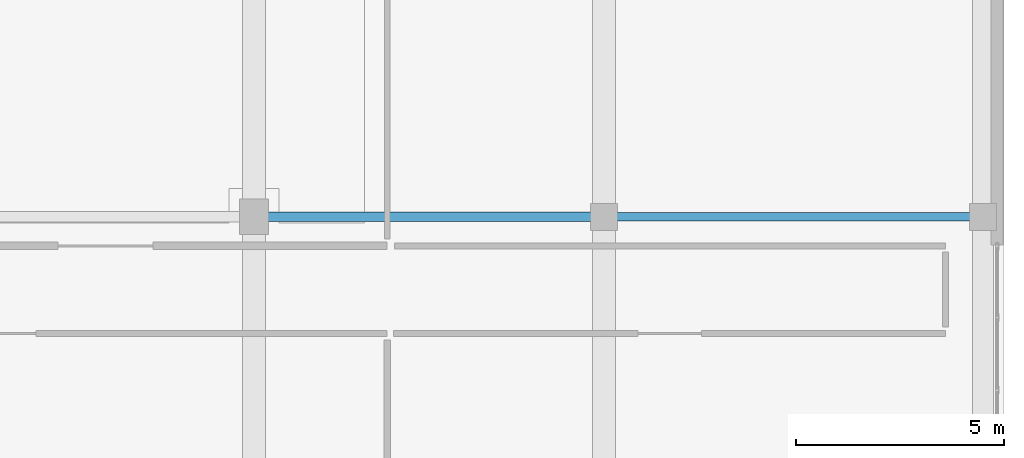
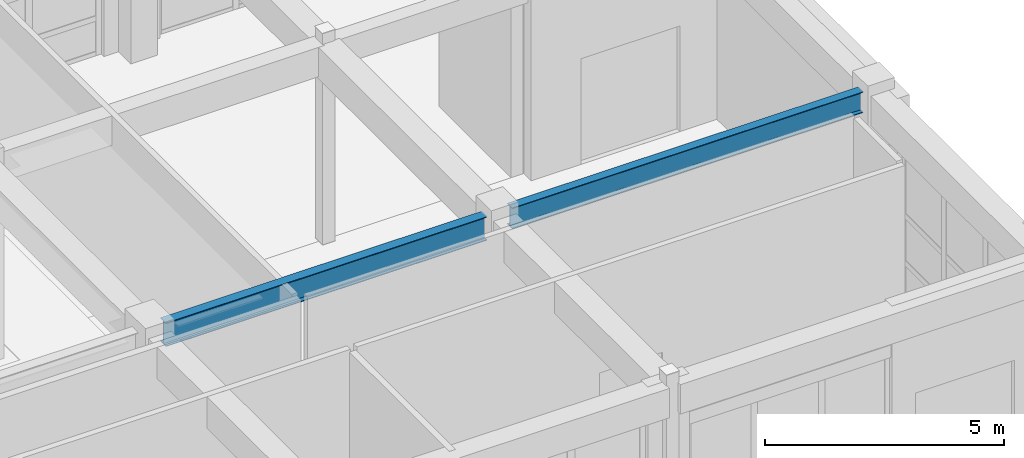
# One storey, part 100 of 148: 2 beams.
"""IFC4 building model written with IfcOpenShell, lengths in metres."""

from ifc_helpers import new_model, si_unit, direction, frame, origin, origin_2d, place, context, subcontext, project, spatial, i_section, extrude, material, material_profile, profile_set, type_object, element, save


model = new_model("IFC4")

# Units and contexts
model_context = context("Model", 3, precision=1e-05, world=origin(), true_north=direction((0.0, 1.0)))
body_context = subcontext(model_context, "Body", "Model", "MODEL_VIEW")
ifc_project = project(units=[si_unit("LENGTHUNIT", "METRE"), si_unit("AREAUNIT", "SQUARE_METRE"), si_unit("VOLUMEUNIT", "CUBIC_METRE"), si_unit("PLANEANGLEUNIT", "RADIAN"), si_unit("MASSUNIT", "GRAM", prefix="KILO")], contexts=[model_context])

# Site, building, storey
site_placement = place(None, origin())
site = spatial("IfcSite", under=ifc_project, at=site_placement, CompositionType="ELEMENT")
building_placement = place(site_placement, origin())
building = spatial("IfcBuilding", under=site, at=building_placement, Name="Quendrovan Civic Courthouse", CompositionType="ELEMENT")
storey_placement = place(building_placement, origin())
storey = spatial("IfcBuildingStorey", under=building, at=storey_placement, Name="L01", CompositionType="ELEMENT", Elevation=0.0)

# Beams
ifc_material = material(Name="Steel ASTM A992 Grade 50", Category="steel")
ifc_material_profile_1 = material_profile(ifc_material, i_section(OverallWidth=0.208984375, OverallDepth=0.532958984375, WebThickness=0.01025390625, FlangeThickness=0.015625, at=origin_2d()), Name="W21X62")
ifc_profile_set_1 = profile_set([ifc_material_profile_1], Name="Steel ASTM A992 Grade 50")
beam_type_1 = type_object("IfcBeamType", Name="BM-STL-W21", PredefinedType="JOIST", material=ifc_profile_set_1)
beam_1_placement = place(storey_placement, frame((151.5048828125, 94.800048828125, 4.853515625), z_axis=(1.0, 0.0, 0.0), x_axis=(0.0, 1.0, 0.0)))
element("IfcBeam", 1, at=beam_1_placement, inside=storey, type_object=beam_type_1, Name="L01 Girder X0339", PredefinedType="JOIST", context=body_context, shape_type="SweptSolid", body=[
    extrude(i_section(OverallWidth=0.208984375, OverallDepth=0.532958984375, WebThickness=0.01025390625, FlangeThickness=0.015625, at=origin_2d()), origin(), (0.0, 0.0, 1.0), 8.490234375),
])
ifc_material_profile_2 = material_profile(ifc_material, i_section(OverallWidth=0.22802734375, OverallDepth=0.60693359375, WebThickness=0.01123046875, FlangeThickness=0.017333984375, at=origin_2d()), Name="W24X76")
ifc_profile_set_2 = profile_set([ifc_material_profile_2], Name="Steel ASTM A992 Grade 50")
beam_type_2 = type_object("IfcBeamType", Name="BM-STL-W24", PredefinedType="BEAM", material=ifc_profile_set_2)
beam_2_placement = place(storey_placement, frame((143.1298828125, 94.800048828125, 4.81640625), z_axis=(1.0, 0.0, 0.0), x_axis=(0.0, 1.0, 0.0)))
element("IfcBeam", 2, at=beam_2_placement, inside=storey, type_object=beam_type_2, Name="L01 Girder X0338", PredefinedType="BEAM", context=body_context, shape_type="SweptSolid", body=[
    extrude(i_section(OverallWidth=0.22802734375, OverallDepth=0.60693359375, WebThickness=0.01123046875, FlangeThickness=0.017333984375, at=origin_2d()), origin(), (0.0, 0.0, 1.0), 7.76513671875),
])

save(model, "model.ifc")
